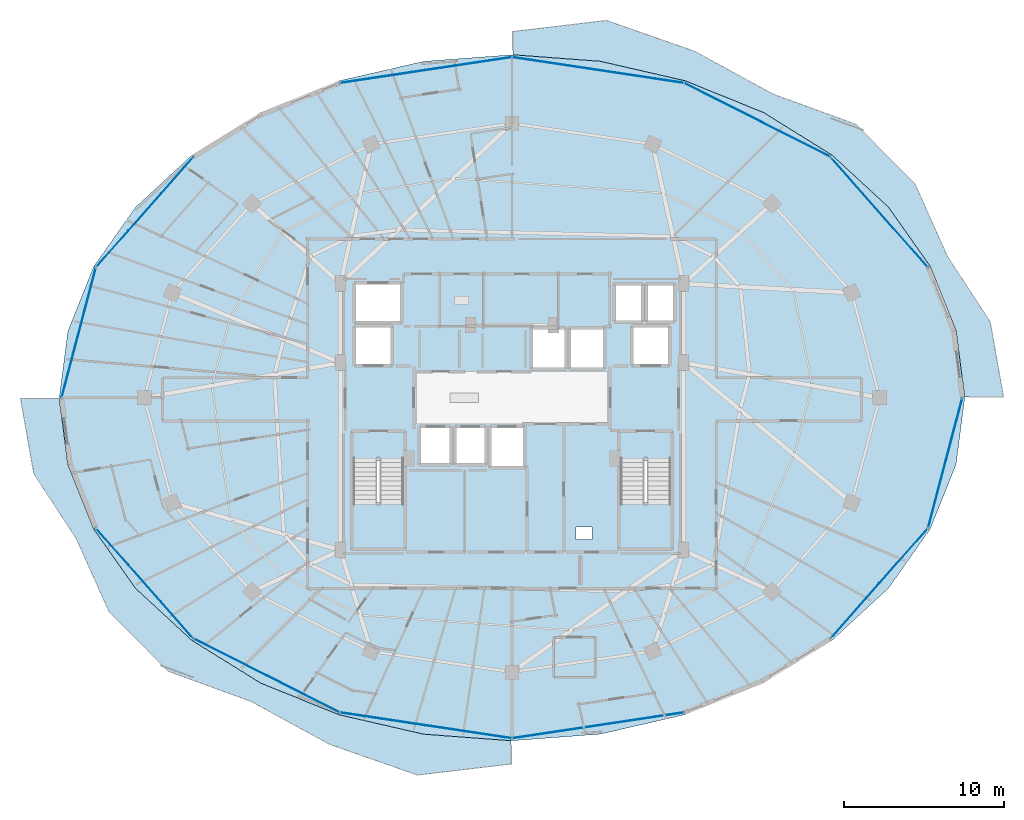
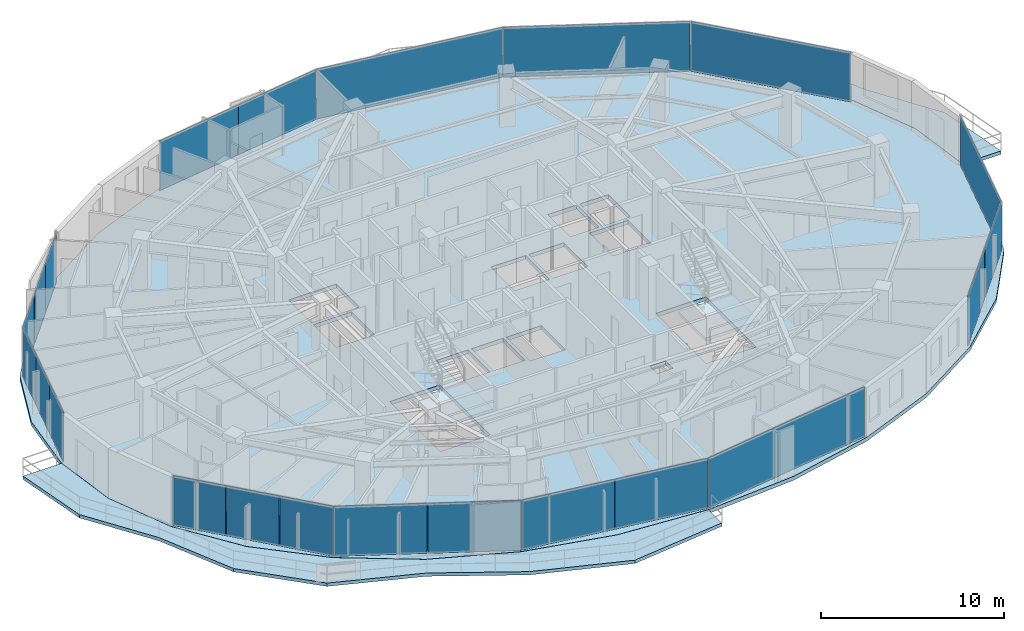
# One storey, part 23 of 33: 22 plates, 5 slabs, 6 elements without a shape of their own.
"""IFC4 building model written with IfcOpenShell, lengths in metres."""

from ifc_helpers import new_model, si_unit, direction, frame, origin, origin_2d, place, context, subcontext, project, spatial, polyline, rectangle, outline, extrude, material, layer, layer_set, type_object, element, aggregate, save


model = new_model("IFC4")

# Units and contexts
model_context = context("Model", 3, precision=1e-05, world=origin(), true_north=direction((0.0, 1.0)))
body_context = subcontext(model_context, "Body", "Model", "MODEL_VIEW")
ifc_project = project(units=[si_unit("LENGTHUNIT", "METRE"), si_unit("AREAUNIT", "SQUARE_METRE"), si_unit("VOLUMEUNIT", "CUBIC_METRE"), si_unit("PLANEANGLEUNIT", "RADIAN"), si_unit("MASSUNIT", "GRAM", prefix="KILO")], contexts=[model_context])

# Site, building, storey
site_placement = place(None, origin())
site = spatial("IfcSite", under=ifc_project, at=site_placement, CompositionType="ELEMENT")
building_placement = place(site_placement, origin())
building = spatial("IfcBuilding", under=site, at=building_placement, Name="Vorneva Point Tower", CompositionType="ELEMENT")
storey_placement = place(building_placement, frame((0.0, 0.0, 203.64990234375)))
storey = spatial("IfcBuildingStorey", under=building, at=storey_placement, Name="L55", CompositionType="ELEMENT", Elevation=203.64990234375)

# Curtain wall, plates
ifc_material_1 = material(Name="Pale anodised aluminium", Category="aluminium")
curtain_wall_type = type_object("IfcCurtainWallType", Name="CW-RES-SYS", PredefinedType="NOTDEFINED", material=ifc_material_1)
curtain_wall_1_placement = place(storey_placement, origin())
curtain_wall_1 = element("IfcCurtainWall", 1, at=curtain_wall_1_placement, inside=storey, type_object=curtain_wall_type, Name="L55 Unitised Curtain Wall CW-L55-R01", PredefinedType="NOTDEFINED")
ifc_material_2 = material(Name="Double low-e laminated glass IGU", Category="glass")
ifc_layer_1 = layer(ifc_material_2, 0.035888671875)
ifc_layer_set_1 = layer_set([ifc_layer_1], Name="Double low-e laminated glass IGU")
plate_type = type_object("IfcPlateType", Name="CW-PNL-VIS", PredefinedType="CURTAIN_PANEL", material=ifc_layer_set_1)
plate_1_placement = place(storey_placement, frame((61.021484375, 37.633544921875, -0.02001953125), z_axis=(0.0, 0.0, 1.0), x_axis=(-0.662110096764, 0.74940657841, 0.0)))
plate_1 = element("IfcPlate", 2, at=plate_1_placement, type_object=plate_type, Name="CW-L55-R01 Glazed Panel 01", PredefinedType="CURTAIN_PANEL", context=body_context, shape_type="SweptSolid", body=[
    extrude(rectangle(XDim=9.1923828125, YDim=0.035888671875, at=origin_2d()), origin(), (0.0, 0.0, 1.0), 3.330078125),
])
plate_2_placement = place(storey_placement, frame((53.38232421875, 43.410888671875, -0.02001953125), z_axis=(0.0, 0.0, 1.0), x_axis=(-0.892514983762, 0.451017742179, 0.0)))
plate_2 = element("IfcPlate", 3, at=plate_2_placement, type_object=plate_type, Name="CW-L55-R01 Glazed Panel 02", PredefinedType="CURTAIN_PANEL", context=body_context, shape_type="SweptSolid", body=[
    extrude(rectangle(XDim=10.21142578125, YDim=0.035888671875, at=origin_2d()), origin(), (0.0, 0.0, 1.0), 3.330078125),
])
plate_3_placement = place(storey_placement, frame((43.401611328125, 46.537353515625, -0.02001953125), z_axis=(0.0, 0.0, 1.0), x_axis=(-0.988873520862, 0.148758729957, 0.0)))
plate_3 = element("IfcPlate", 4, at=plate_3_placement, type_object=plate_type, Name="CW-L55-R01 Glazed Panel 03", PredefinedType="CURTAIN_PANEL", context=body_context, shape_type="SweptSolid", body=[
    extrude(rectangle(XDim=10.874755859375, YDim=0.035888671875, at=origin_2d()), origin(), (0.0, 0.0, 1.0), 3.330078125),
])
plate_4_placement = place(storey_placement, frame((35.29931640625, 46.943603515625, -0.02001953125), z_axis=(0.0, 0.0, 1.0), x_axis=(-0.988873520862, -0.148758729957, 0.0)))
plate_4 = element("IfcPlate", 5, at=plate_4_placement, type_object=plate_type, Name="CW-L55-R01 Glazed Panel 04A", PredefinedType="CURTAIN_PANEL", context=body_context, shape_type="SweptSolid", body=[
    extrude(rectangle(XDim=5.412353515625, YDim=0.035888671875, at=origin_2d()), origin(), (0.0, 0.0, 1.0), 3.330078125),
])
plate_5_placement = place(storey_placement, frame((29.897705078125, 46.131103515625, -0.02001953125), z_axis=(0.0, 0.0, 1.0), x_axis=(-0.988873520862, -0.148758729957, 0.0)))
plate_5 = element("IfcPlate", 6, at=plate_5_placement, type_object=plate_type, Name="CW-L55-R01 Glazed Panel 04B", PredefinedType="CURTAIN_PANEL", context=body_context, shape_type="SweptSolid", body=[
    extrude(rectangle(XDim=5.412353515625, YDim=0.035888671875, at=origin_2d()), origin(), (0.0, 0.0, 1.0), 3.330078125),
])
aggregate(curtain_wall_1, [plate_1, plate_2, plate_3, plate_4, plate_5])

curtain_wall_2_placement = place(storey_placement, origin())
curtain_wall_2 = element("IfcCurtainWall", 7, at=curtain_wall_2_placement, inside=storey, type_object=curtain_wall_type, Name="L55 Unitised Curtain Wall CW-L55-R02", PredefinedType="NOTDEFINED")
plate_6_placement = place(storey_placement, frame((17.0185546875, 39.9423828125, -0.02001953125), z_axis=(0.0, 0.0, 1.0), x_axis=(-0.662110096764, -0.74940657841, 0.0)))
plate_6 = element("IfcPlate", 8, at=plate_6_placement, type_object=plate_type, Name="CW-L55-R02 Glazed Panel 01A", PredefinedType="CURTAIN_PANEL", context=body_context, shape_type="SweptSolid", body=[
    extrude(rectangle(XDim=3.03076171875, YDim=0.035888671875, at=origin_2d()), origin(), (0.0, 0.0, 1.0), 3.330078125),
])
plate_7_placement = place(storey_placement, frame((14.978759765625, 37.633544921875, -0.02001953125), z_axis=(0.0, 0.0, 1.0), x_axis=(-0.662110096764, -0.74940657841, 0.0)))
plate_7 = element("IfcPlate", 9, at=plate_7_placement, type_object=plate_type, Name="CW-L55-R02 Glazed Panel 01B", PredefinedType="CURTAIN_PANEL", context=body_context, shape_type="SweptSolid", body=[
    extrude(rectangle(XDim=3.03076171875, YDim=0.035888671875, at=origin_2d()), origin(), (0.0, 0.0, 1.0), 3.330078125),
])
plate_8_placement = place(storey_placement, frame((12.938720703125, 35.32470703125, -0.02001953125), z_axis=(0.0, 0.0, 1.0), x_axis=(-0.662110096764, -0.74940657841, 0.0)))
plate_8 = element("IfcPlate", 10, at=plate_8_placement, type_object=plate_type, Name="CW-L55-R02 Glazed Panel 01C", PredefinedType="CURTAIN_PANEL", context=body_context, shape_type="SweptSolid", body=[
    extrude(rectangle(XDim=3.03076171875, YDim=0.035888671875, at=origin_2d()), origin(), (0.0, 0.0, 1.0), 3.330078125),
])
plate_9_placement = place(storey_placement, frame((11.560791015625, 32.80859375, -0.02001953125), z_axis=(0.0, 0.0, 1.0), x_axis=(-0.254365646708, -0.967108121036, 0.0)))
plate_9 = element("IfcPlate", 11, at=plate_9_placement, type_object=plate_type, Name="CW-L55-R02 Glazed Panel 02A", PredefinedType="CURTAIN_PANEL", context=body_context, shape_type="SweptSolid", body=[
    extrude(rectangle(XDim=2.76611328125, YDim=0.035888671875, at=origin_2d()), origin(), (0.0, 0.0, 1.0), 3.330078125),
])
plate_10_placement = place(storey_placement, frame((10.844482421875, 30.085205078125, -0.02001953125), z_axis=(0.0, 0.0, 1.0), x_axis=(-0.254365646708, -0.967108121036, 0.0)))
plate_10 = element("IfcPlate", 12, at=plate_10_placement, type_object=plate_type, Name="CW-L55-R02 Glazed Panel 02B", PredefinedType="CURTAIN_PANEL", context=body_context, shape_type="SweptSolid", body=[
    extrude(rectangle(XDim=2.76611328125, YDim=0.035888671875, at=origin_2d()), origin(), (0.0, 0.0, 1.0), 3.330078125),
])
plate_11_placement = place(storey_placement, frame((10.128173828125, 27.36181640625, -0.02001953125), z_axis=(0.0, 0.0, 1.0), x_axis=(-0.254365646708, -0.967108121036, 0.0)))
plate_11 = element("IfcPlate", 13, at=plate_11_placement, type_object=plate_type, Name="CW-L55-R02 Glazed Panel 02C", PredefinedType="CURTAIN_PANEL", context=body_context, shape_type="SweptSolid", body=[
    extrude(rectangle(XDim=2.76611328125, YDim=0.035888671875, at=origin_2d()), origin(), (0.0, 0.0, 1.0), 3.330078125),
])
aggregate(curtain_wall_2, [plate_6, plate_7, plate_8, plate_9, plate_10, plate_11])

curtain_wall_3_placement = place(storey_placement, origin())
curtain_wall_3 = element("IfcCurtainWall", 14, at=curtain_wall_3_placement, inside=storey, type_object=curtain_wall_type, Name="L55 Unitised Curtain Wall CW-L55-R03", PredefinedType="NOTDEFINED")
plate_12_placement = place(storey_placement, frame((12.938720703125, 16.67529296875, -0.02001953125), z_axis=(0.0, 0.0, 1.0), x_axis=(0.662110096764, -0.74940657841, 0.0)))
plate_12 = element("IfcPlate", 15, at=plate_12_placement, type_object=plate_type, Name="CW-L55-R03 Glazed Panel 01A", PredefinedType="CURTAIN_PANEL", context=body_context, shape_type="SweptSolid", body=[
    extrude(rectangle(XDim=3.03076171875, YDim=0.035888671875, at=origin_2d()), origin(), (0.0, 0.0, 1.0), 3.330078125),
])
plate_13_placement = place(storey_placement, frame((14.978759765625, 14.366455078125, -0.02001953125), z_axis=(0.0, 0.0, 1.0), x_axis=(0.662110096764, -0.74940657841, 0.0)))
plate_13 = element("IfcPlate", 16, at=plate_13_placement, type_object=plate_type, Name="CW-L55-R03 Glazed Panel 01B", PredefinedType="CURTAIN_PANEL", context=body_context, shape_type="SweptSolid", body=[
    extrude(rectangle(XDim=3.03076171875, YDim=0.035888671875, at=origin_2d()), origin(), (0.0, 0.0, 1.0), 3.330078125),
])
plate_14_placement = place(storey_placement, frame((17.0185546875, 12.0576171875, -0.02001953125), z_axis=(0.0, 0.0, 1.0), x_axis=(0.662110096764, -0.74940657841, 0.0)))
plate_14 = element("IfcPlate", 17, at=plate_14_placement, type_object=plate_type, Name="CW-L55-R03 Glazed Panel 01C", PredefinedType="CURTAIN_PANEL", context=body_context, shape_type="SweptSolid", body=[
    extrude(rectangle(XDim=3.03076171875, YDim=0.035888671875, at=origin_2d()), origin(), (0.0, 0.0, 1.0), 3.330078125),
])
plate_15_placement = place(storey_placement, frame((20.327880859375, 9.746337890625, -0.02001953125), z_axis=(0.0, 0.0, 1.0), x_axis=(0.892514983762, -0.451017742179, 0.0)))
plate_15 = element("IfcPlate", 18, at=plate_15_placement, type_object=plate_type, Name="CW-L55-R03 Glazed Panel 02A", PredefinedType="CURTAIN_PANEL", context=body_context, shape_type="SweptSolid", body=[
    extrude(rectangle(XDim=5.080810546875, YDim=0.035888671875, at=origin_2d()), origin(), (0.0, 0.0, 1.0), 3.330078125),
])
plate_16_placement = place(storey_placement, frame((24.9072265625, 7.43212890625, -0.02001953125), z_axis=(0.0, 0.0, 1.0), x_axis=(0.892514983762, -0.451017742179, 0.0)))
plate_16 = element("IfcPlate", 19, at=plate_16_placement, type_object=plate_type, Name="CW-L55-R03 Glazed Panel 02B", PredefinedType="CURTAIN_PANEL", context=body_context, shape_type="SweptSolid", body=[
    extrude(rectangle(XDim=5.080810546875, YDim=0.035888671875, at=origin_2d()), origin(), (0.0, 0.0, 1.0), 3.330078125),
])
plate_17_placement = place(storey_placement, frame((29.897705078125, 5.868896484375, -0.02001953125), z_axis=(0.0, 0.0, 1.0), x_axis=(0.988873520862, -0.148758729957, 0.0)))
plate_17 = element("IfcPlate", 20, at=plate_17_placement, type_object=plate_type, Name="CW-L55-R03 Glazed Panel 03A", PredefinedType="CURTAIN_PANEL", context=body_context, shape_type="SweptSolid", body=[
    extrude(rectangle(XDim=5.412353515625, YDim=0.035888671875, at=origin_2d()), origin(), (0.0, 0.0, 1.0), 3.330078125),
])
plate_18_placement = place(storey_placement, frame((35.29931640625, 5.056396484375, -0.02001953125), z_axis=(0.0, 0.0, 1.0), x_axis=(0.988873520862, -0.148758729957, 0.0)))
plate_18 = element("IfcPlate", 21, at=plate_18_placement, type_object=plate_type, Name="CW-L55-R03 Glazed Panel 03B", PredefinedType="CURTAIN_PANEL", context=body_context, shape_type="SweptSolid", body=[
    extrude(rectangle(XDim=5.412353515625, YDim=0.035888671875, at=origin_2d()), origin(), (0.0, 0.0, 1.0), 3.330078125),
])
plate_19_placement = place(storey_placement, frame((43.401611328125, 5.462646484375, -0.02001953125), z_axis=(0.0, 0.0, 1.0), x_axis=(0.988873520862, 0.148758729957, 0.0)))
plate_19 = element("IfcPlate", 22, at=plate_19_placement, type_object=plate_type, Name="CW-L55-R03 Glazed Panel 04", PredefinedType="CURTAIN_PANEL", context=body_context, shape_type="SweptSolid", body=[
    extrude(rectangle(XDim=10.874755859375, YDim=0.035888671875, at=origin_2d()), origin(), (0.0, 0.0, 1.0), 3.330078125),
])
aggregate(curtain_wall_3, [plate_12, plate_13, plate_14, plate_15, plate_16, plate_17, plate_18, plate_19])

curtain_wall_4_placement = place(storey_placement, origin())
curtain_wall_4 = element("IfcCurtainWall", 23, at=curtain_wall_4_placement, inside=storey, type_object=curtain_wall_type, Name="L55 Unitised Curtain Wall CW-L55-R04", PredefinedType="NOTDEFINED")
plate_20_placement = place(storey_placement, frame((59.491455078125, 12.635009765625, -0.02001953125), z_axis=(0.0, 0.0, 1.0), x_axis=(0.662110096764, 0.74940657841, 0.0)))
plate_20 = element("IfcPlate", 24, at=plate_20_placement, type_object=plate_type, Name="CW-L55-R04 Glazed Panel 01A", PredefinedType="CURTAIN_PANEL", context=body_context, shape_type="SweptSolid", body=[
    extrude(rectangle(XDim=4.5712890625, YDim=0.035888671875, at=origin_2d()), origin(), (0.0, 0.0, 1.0), 3.330078125),
])
plate_21_placement = place(storey_placement, frame((62.55126953125, 16.09814453125, -0.02001953125), z_axis=(0.0, 0.0, 1.0), x_axis=(0.662110096764, 0.74940657841, 0.0)))
plate_21 = element("IfcPlate", 25, at=plate_21_placement, type_object=plate_type, Name="CW-L55-R04 Glazed Panel 01B", PredefinedType="CURTAIN_PANEL", context=body_context, shape_type="SweptSolid", body=[
    extrude(rectangle(XDim=4.5712890625, YDim=0.035888671875, at=origin_2d()), origin(), (0.0, 0.0, 1.0), 3.330078125),
])
plate_22_placement = place(storey_placement, frame((65.155517578125, 21.914794921875, -0.02001953125), z_axis=(0.0, 0.0, 1.0), x_axis=(0.254365646708, 0.967108121036, 0.0)))
plate_22 = element("IfcPlate", 26, at=plate_22_placement, type_object=plate_type, Name="CW-L55-R04 Glazed Panel 02", PredefinedType="CURTAIN_PANEL", context=body_context, shape_type="SweptSolid", body=[
    extrude(rectangle(XDim=8.398193359375, YDim=0.035888671875, at=origin_2d()), origin(), (0.0, 0.0, 1.0), 3.330078125),
])
aggregate(curtain_wall_4, [plate_20, plate_21, plate_22])

# Slabs
ifc_material_3 = material(Name="Concrete B50 (C40/50)", Category="concrete")
ifc_layer_2 = layer(ifc_material_3, 0.219970703125)
ifc_layer_set_2 = layer_set([ifc_layer_2], Name="Concrete B50 (C40/50)")
slab_type_1 = type_object("IfcSlabType", Name="SLB-BAL-220", PredefinedType="FLOOR", material=ifc_layer_set_2)
slab_1_placement = place(storey_placement, frame((0.0, 0.0, -0.219970703125)))
element("IfcSlab", 27, at=slab_1_placement, inside=storey, type_object=slab_type_1, Name="L55 Cantilevered Wave Balcony NE", PredefinedType="FLOOR", context=body_context, shape_type="SweptSolid", body=[
    extrude(outline(polyline([(38.050048828125, 48.9609375), (38.050048828125, 47.500244140625), (43.537109375, 47.0908203125), (43.537353515625, 47.0908203125), (43.53759765625, 47.0908203125), (48.861572265625, 45.8671875), (48.86181640625, 45.8671875), (48.862060546875, 45.8671875), (53.7685546875, 43.88037109375), (53.768798828125, 43.880126953125), (53.769287109375, 43.8798828125), (58.06982421875, 41.206298828125), (58.070068359375, 41.2060546875), (58.0703125, 41.205810546875), (61.599853515625, 37.94775390625), (61.60009765625, 37.947509765625), (61.600341796875, 37.947021484375), (64.222900390625, 34.22998046875), (64.22314453125, 34.2294921875), (64.223388671875, 34.229248046875), (65.83837890625, 30.19580078125), (65.83837890625, 30.195556640625), (65.838623046875, 30.1953125), (65.838623046875, 30.19482421875), (66.37744140625, 26.050048828125), (68.816162109375, 26.050048828125), (67.97998046875, 30.7578125), (65.31640625, 34.827392578125), (63.260498046875, 39.411865234375), (59.544189453125, 43.151611328125), (54.355712890625, 45.039306640625), (49.4443359375, 47.72412109375), (43.923583984375, 49.654541015625), (38.050048828125, 48.9609375)])), origin(), (0.0, 0.0, 1.0), 0.219970703125),
])
slab_2_placement = place(storey_placement, frame((0.0, 0.0, -0.219970703125)))
element("IfcSlab", 28, at=slab_2_placement, inside=storey, type_object=slab_type_1, Name="L55 Cantilevered Wave Balcony SW", PredefinedType="FLOOR", context=body_context, shape_type="SweptSolid", body=[
    extrude(outline(polyline([(37.949951171875, 3.0390625), (37.949951171875, 4.499755859375), (32.462890625, 4.9091796875), (32.462646484375, 4.9091796875), (32.46240234375, 4.9091796875), (27.138427734375, 6.1328125), (27.13818359375, 6.1328125), (27.137939453125, 6.1328125), (22.2314453125, 8.11962890625), (22.231201171875, 8.119873046875), (22.230712890625, 8.1201171875), (17.93017578125, 10.793701171875), (17.929931640625, 10.7939453125), (17.9296875, 10.794189453125), (14.400146484375, 14.05224609375), (14.39990234375, 14.052490234375), (14.399658203125, 14.052978515625), (11.777099609375, 17.77001953125), (11.77685546875, 17.7705078125), (11.776611328125, 17.770751953125), (10.16162109375, 21.80419921875), (10.16162109375, 21.804443359375), (10.161376953125, 21.8046875), (10.161376953125, 21.80517578125), (9.62255859375, 25.949951171875), (7.183837890625, 25.949951171875), (8.02001953125, 21.2421875), (10.68359375, 17.172607421875), (12.739501953125, 12.588134765625), (16.455810546875, 8.848388671875), (21.644287109375, 6.960693359375), (26.5556640625, 4.27587890625), (32.076416015625, 2.345458984375), (37.949951171875, 3.0390625)])), origin(), (0.0, 0.0, 1.0), 0.219970703125),
])

# Stair, slab
stair_type = type_object("IfcStairType", Name="ST-DOG-1500", PredefinedType="HALF_TURN_STAIR", material=ifc_material_3)
stair_1_placement = place(storey_placement, origin())
stair_1 = element("IfcStair", 29, at=stair_1_placement, inside=storey, type_object=stair_type, Name="L55 ST1", PredefinedType="HALF_TURN_STAIR")
ifc_layer_3 = layer(ifc_material_3, 0.199951171875)
ifc_layer_set_3 = layer_set([ifc_layer_3], Name="Concrete B50 (C40/50)")
slab_type_2 = type_object("IfcSlabType", Name="SLB-LND-200", PredefinedType="LANDING", material=ifc_layer_set_3)
slab_3_placement = place(storey_placement, frame((0.0, 0.0, 1.5751953125)))
slab_3 = element("IfcSlab", 30, at=slab_3_placement, type_object=slab_type_2, Name="ST1 landing 1", PredefinedType="LANDING", context=body_context, shape_type="SweptSolid", body=[
    extrude(outline(polyline([(27.929931640625, 16.47998046875), (31.320068359375, 16.47998046875), (31.320068359375, 19.43994140625), (27.929931640625, 19.43994140625), (27.929931640625, 16.47998046875)])), origin(), (0.0, 0.0, 1.0), 0.199951171875),
])
aggregate(stair_1, [slab_3])

stair_2_placement = place(storey_placement, origin())
stair_2 = element("IfcStair", 31, at=stair_2_placement, inside=storey, type_object=stair_type, Name="L55 ST2", PredefinedType="HALF_TURN_STAIR")
slab_4_placement = place(storey_placement, frame((0.0, 0.0, 1.5751953125)))
slab_4 = element("IfcSlab", 32, at=slab_4_placement, type_object=slab_type_2, Name="ST2 landing 1", PredefinedType="LANDING", context=body_context, shape_type="SweptSolid", body=[
    extrude(outline(polyline([(44.679931640625, 16.47998046875), (48.070068359375, 16.47998046875), (48.070068359375, 19.43994140625), (44.679931640625, 19.43994140625), (44.679931640625, 16.47998046875)])), origin(), (0.0, 0.0, 1.0), 0.199951171875),
])
aggregate(stair_2, [slab_4])

# Slab
ifc_layer_4 = layer(ifc_material_3, 0.260009765625)
ifc_layer_set_4 = layer_set([ifc_layer_4], Name="Concrete B50 (C40/50)")
slab_type_3 = type_object("IfcSlabType", Name="SLB-TYP-260", PredefinedType="FLOOR", material=ifc_layer_set_4)
slab_5_placement = place(storey_placement, frame((0.0, 0.0, -0.260009765625)))
element("IfcSlab", 33, at=slab_5_placement, inside=storey, type_object=slab_type_3, Name="L55 Structural Floor Plate", PredefinedType="FLOOR", context=body_context, shape_type="SweptSolid", body=[
    extrude(outline(polyline([(66.3798828125, 26.0), (65.834716796875, 30.1943359375), (64.2197265625, 34.227783203125), (61.59716796875, 37.94482421875), (58.067626953125, 41.202880859375), (53.76708984375, 43.876708984375), (48.860595703125, 45.86328125), (43.53662109375, 47.0869140625), (38.0, 47.5), (32.46337890625, 47.0869140625), (27.139404296875, 45.86328125), (22.23291015625, 43.876708984375), (17.932373046875, 41.202880859375), (14.40283203125, 37.94482421875), (11.7802734375, 34.227783203125), (10.165283203125, 30.1943359375), (9.6201171875, 26.0), (10.165283203125, 21.8056640625), (11.7802734375, 17.772216796875), (14.40283203125, 14.05517578125), (17.932373046875, 10.797119140625), (22.23291015625, 8.123291015625), (27.139404296875, 6.13671875), (32.46337890625, 4.9130859375), (38.0, 4.5), (43.53662109375, 4.9130859375), (48.860595703125, 6.13671875), (53.76708984375, 8.123291015625), (58.067626953125, 10.797119140625), (61.59716796875, 14.05517578125), (64.2197265625, 17.772216796875), (65.834716796875, 21.8056640625), (66.3798828125, 26.0)]), holes=[polyline([(32.199951171875, 21.800048828125), (34.199951171875, 21.800048828125), (34.199951171875, 24.199951171875), (32.199951171875, 24.199951171875), (32.199951171875, 21.800048828125)]), polyline([(34.39990234375, 21.800048828125), (36.39990234375, 21.800048828125), (36.39990234375, 24.199951171875), (34.39990234375, 24.199951171875), (34.39990234375, 21.800048828125)]), polyline([(36.60009765625, 21.60009765625), (38.800048828125, 21.60009765625), (38.800048828125, 24.199951171875), (36.60009765625, 24.199951171875), (36.60009765625, 21.60009765625)]), polyline([(39.199951171875, 27.800048828125), (41.39990234375, 27.800048828125), (41.39990234375, 30.39990234375), (39.199951171875, 30.39990234375), (39.199951171875, 27.800048828125)]), polyline([(41.60009765625, 27.800048828125), (43.800048828125, 27.800048828125), (43.800048828125, 30.39990234375), (41.60009765625, 30.39990234375), (41.60009765625, 27.800048828125)]), polyline([(44.39990234375, 30.739990234375), (46.199951171875, 30.739990234375), (46.199951171875, 33.159912109375), (44.39990234375, 33.159912109375), (44.39990234375, 30.739990234375)]), polyline([(46.39990234375, 30.739990234375), (48.199951171875, 30.739990234375), (48.199951171875, 33.159912109375), (46.39990234375, 33.159912109375), (46.39990234375, 30.739990234375)]), polyline([(28.10009765625, 28.0), (30.5, 28.0), (30.5, 30.5), (28.10009765625, 30.5), (28.10009765625, 28.0)]), polyline([(45.5, 28.0), (47.89990234375, 28.0), (47.89990234375, 30.5), (45.5, 30.5), (45.5, 28.0)]), polyline([(28.10009765625, 30.699951171875), (31.10009765625, 30.699951171875), (31.10009765625, 33.199951171875), (28.10009765625, 33.199951171875), (28.10009765625, 30.699951171875)]), polyline([(28.050048828125, 16.60009765625), (31.199951171875, 16.60009765625), (31.199951171875, 22.080078125), (28.050048828125, 22.080078125), (28.050048828125, 16.60009765625)]), polyline([(44.800048828125, 16.60009765625), (47.949951171875, 16.60009765625), (47.949951171875, 22.080078125), (44.800048828125, 22.080078125), (44.800048828125, 16.60009765625)]), polyline([(42.0, 17.10009765625), (43.0, 17.10009765625), (43.0, 17.89990234375), (42.0, 17.89990234375), (42.0, 17.10009765625)])]), origin(), (0.0, 0.0, 1.0), 0.260009765625),
])

save(model, "model.ifc")
